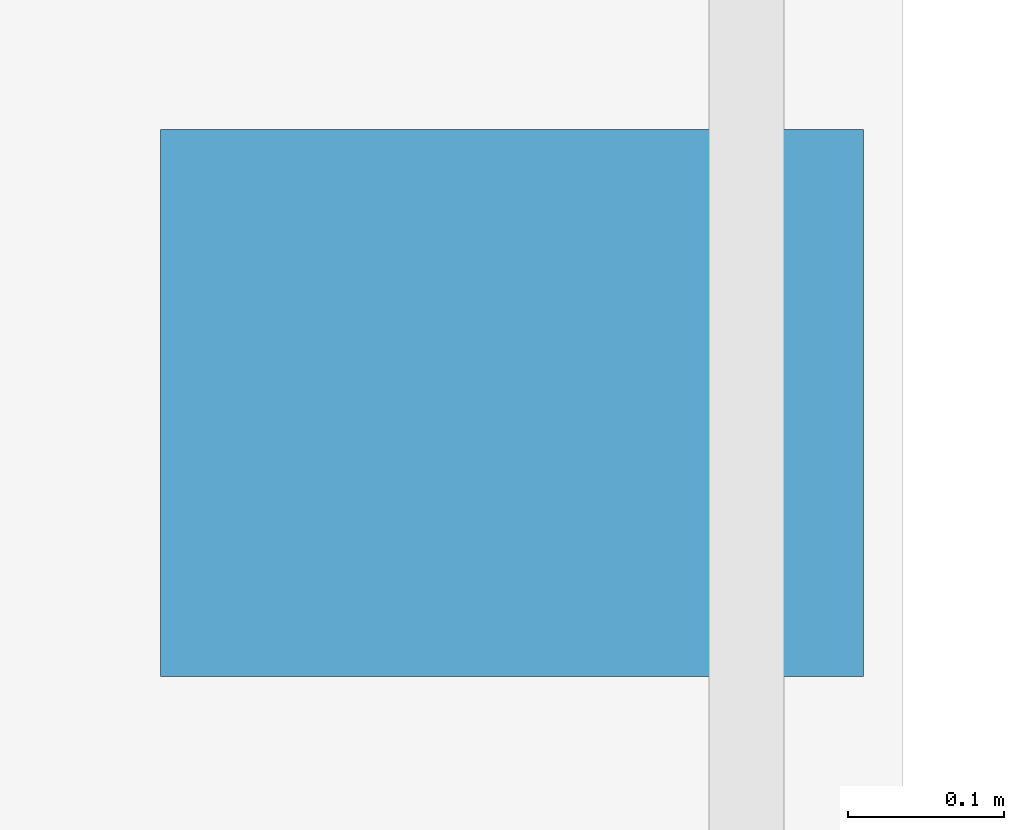
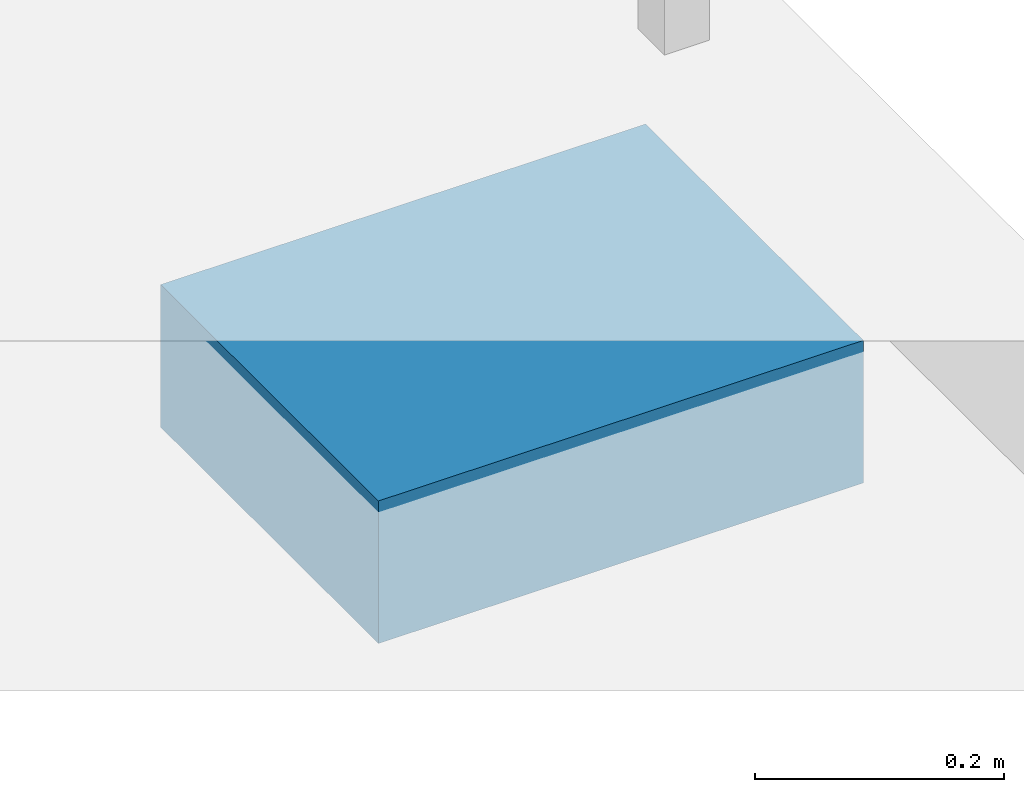
# One storey, part 69 of 87: 1 discrete accessory.
"""IFC4 building model written with IfcOpenShell, lengths in metres."""

import ifcopenshell
import ifcopenshell.guid

model = None  # the IFC model being written
_history = None  # IfcOwnerHistory: only IFC2X3 demands one
_inside = {}  # id of a spatial element -> (the spatial element, [elements in it])
_under = {}  # id of a project, library or spatial element -> (it, [spatial elements below it])
_declared = {}  # id of a project -> (the project, [libraries it declares])
_typed = {}  # id of a type object -> (the type object, [elements of that type])
_made_of = {}  # id of a material, layer set ... -> (it, [elements and type objects made of it])


def new_model(schema):
    """Start an empty IFC model of exactly this schema.

    Asked for "IFC4X3", IfcOpenShell would pick the latest addendum, in which some entities
    have other attributes; the version numbers below select the first issue.
    IFC2X3 requires an IfcOwnerHistory on every rooted entity: one is made here for all.
    """
    global model, _history
    if schema == "IFC4X3":
        model = ifcopenshell.file(schema_version=(4, 3, 0, 0))
    else:
        model = ifcopenshell.file(schema=schema)
    _inside.clear()
    _under.clear()
    _declared.clear()
    _typed.clear()
    _made_of.clear()
    _history = None
    if model.schema == "IFC2X3":
        org = make("IfcOrganization", Name="unknown")
        user = make(
            "IfcPersonAndOrganization",
            ThePerson=make("IfcPerson", FamilyName="unknown"),
            TheOrganization=org,
        )
        app = make(
            "IfcApplication",
            ApplicationDeveloper=org,
            Version="unknown",
            ApplicationFullName="unknown",
            ApplicationIdentifier="unknown",
        )
        _history = make(
            "IfcOwnerHistory",
            OwningUser=user,
            OwningApplication=app,
            ChangeAction="ADDED",
            CreationDate=0,
        )
    return model


def make(cls, **values):
    """One entity of the class cls with the attributes given. An attribute that is None is left unset."""
    return model.create_entity(
        cls, **{name: value for name, value in values.items() if value is not None}
    )


def rooted(cls, **values):
    """An entity with a GlobalId (a new one), such as an element, a storey or a relation."""
    return make(cls, GlobalId=ifcopenshell.guid.new(), OwnerHistory=_history, **values)


def si_unit(unit_type, name, prefix=None):
    """IfcSIUnit, for example si_unit("LENGTHUNIT", "METRE", prefix="MILLI")."""
    return make("IfcSIUnit", UnitType=unit_type, Prefix=prefix, Name=name)


def assignment(units):
    """IfcUnitAssignment: the units of a project."""
    return None if units is None else make("IfcUnitAssignment", Units=units)


def point(xyz):
    """IfcCartesianPoint."""
    return None if xyz is None else make("IfcCartesianPoint", Coordinates=xyz)


def direction(xyz):
    """IfcDirection."""
    return None if xyz is None else make("IfcDirection", DirectionRatios=xyz)


def frame(location, z_axis=None, x_axis=None):
    """IfcAxis2Placement3D, a coordinate frame: its origin and axes. An axis left out is left unset."""
    return make(
        "IfcAxis2Placement3D",
        Location=point(location),
        Axis=direction(z_axis),
        RefDirection=direction(x_axis),
    )


def frame_2d(location, x_axis=None):
    """IfcAxis2Placement2D, a coordinate frame in the plane: its origin and x axis."""
    return make(
        "IfcAxis2Placement2D", Location=point(location), RefDirection=direction(x_axis)
    )


def origin():
    """The frame at (0, 0, 0) with its axes left unset."""
    return frame((0.0, 0.0, 0.0))


def origin_2d():
    """The frame at (0, 0) in the plane with its x axis left unset."""
    return frame_2d((0.0, 0.0))


def place(relative_to, where):
    """IfcLocalPlacement: puts the frame where relative to a parent placement (None: the world)."""
    return make(
        "IfcLocalPlacement", PlacementRelTo=relative_to, RelativePlacement=where
    )


def context(
    kind, dimensions, precision=None, world=None, true_north=None, identifier=None
):
    """IfcGeometricRepresentationContext, for example the 3D "Model" context."""
    return make(
        "IfcGeometricRepresentationContext",
        ContextIdentifier=identifier,
        ContextType=kind,
        CoordinateSpaceDimension=dimensions,
        Precision=precision,
        WorldCoordinateSystem=world,
        TrueNorth=true_north,
    )


def subcontext(parent, identifier, kind, view, scale=None):
    """IfcGeometricRepresentationSubContext, for example "Body" below "Model"."""
    return make(
        "IfcGeometricRepresentationSubContext",
        ContextIdentifier=identifier,
        ContextType=kind,
        ParentContext=parent,
        TargetScale=scale,
        TargetView=view,
    )


def project(units=None, contexts=None):
    """IfcProject with its units and contexts."""
    return rooted(
        "IfcProject",
        Name="project",
        RepresentationContexts=contexts,
        UnitsInContext=assignment(units),
    )


def spatial(cls, under=None, at=None, **own):
    """A site, building, storey or space (cls), placed at a placement, below another one or the project."""
    s = rooted(cls, ObjectPlacement=at, **own)
    if under is not None:
        _under.setdefault(under.id(), (under, []))[1].append(s)
    return s


def profile(cls, at=None, kind="AREA", **sizes):
    """A parametric profile (cls). Its sizes go by their IFC names, for example OverallWidth=200.0."""
    return make(cls, ProfileType=kind, Position=at, **sizes)


def rectangle(**sizes):
    """IfcRectangleProfileDef."""
    return profile("IfcRectangleProfileDef", **sizes)


def extrude(swept, where, along, depth):
    """IfcExtrudedAreaSolid: the profile swept, set in the frame where, extruded along a direction by depth."""
    return make(
        "IfcExtrudedAreaSolid",
        SweptArea=swept,
        Position=where,
        ExtrudedDirection=direction(along),
        Depth=depth,
    )


def shape(context_of_items, identifier, shape_type, items):
    """IfcShapeRepresentation: the items that make up one representation, for example the "Body"."""
    return make(
        "IfcShapeRepresentation",
        ContextOfItems=context_of_items,
        RepresentationIdentifier=identifier,
        RepresentationType=shape_type,
        Items=items,
    )


def material(Name=None, Category=None):
    """IfcMaterial."""
    return make("IfcMaterial", Name=Name, Category=Category)


def made_of(thing, what):
    """Note that an element or type object is made of a material, layer set ...; save() writes the relation."""
    if what is not None:
        _made_of.setdefault(what.id(), (what, []))[1].append(thing)
    return thing


def type_object(cls, material=None, **own):
    """A type object (cls), such as IfcWallType, which elements share."""
    return made_of(rooted(cls, **own), material)


def element(
    cls,
    number,
    at=None,
    inside=None,
    cuts=None,
    type_object=None,
    material=None,
    context=None,
    identifier="Body",
    shape_type=None,
    held_by="IfcProductDefinitionShape",
    body=None,
    shapes=None,
    **own,
):
    """One element of the class cls, such as IfcWall. Its Tag is "e" and its number.

    at: its placement. inside: the storey or other place that contains it. cuts: it is an
    opening in that element (IfcRelVoidsElement). A single representation is given by context,
    identifier, shape_type and body (its items); several are given by shapes. held_by: the class
    of the entity that holds the representations. save() writes the other relations.
    """
    e = rooted(cls, Tag="e%d" % number, ObjectPlacement=at, **own)
    if body is not None:
        shapes = [shape(context, identifier, shape_type, body)]
    if shapes is not None:
        e.Representation = make(held_by, Representations=shapes)
    if inside is not None:
        _inside.setdefault(inside.id(), (inside, []))[1].append(e)
    if cuts is not None:
        rooted(
            "IfcRelVoidsElement", RelatingBuildingElement=cuts, RelatedOpeningElement=e
        )
    if type_object is not None:
        _typed.setdefault(type_object.id(), (type_object, []))[1].append(e)
    return made_of(e, material)


def aggregate(whole, parts):
    """IfcRelAggregates: a whole, such as a stair, and the parts it consists of."""
    return rooted("IfcRelAggregates", RelatingObject=whole, RelatedObjects=parts)


def save(model, path):
    """Write the relations noted so far, then the file.

    IfcRelAggregates (storeys below a building ...), IfcRelContainedInSpatialStructure (elements
    in a storey), IfcRelDefinesByType, IfcRelAssociatesMaterial and IfcRelDeclares: one each for
    every whole, place, type object, material and project.
    """
    for whole, parts in _under.values():
        aggregate(whole, parts)
    for where, things in _inside.values():
        rooted(
            "IfcRelContainedInSpatialStructure",
            RelatedElements=things,
            RelatingStructure=where,
        )
    for kind, things in _typed.values():
        rooted("IfcRelDefinesByType", RelatedObjects=things, RelatingType=kind)
    for what, things in _made_of.values():
        rooted("IfcRelAssociatesMaterial", RelatedObjects=things, RelatingMaterial=what)
    for by, libraries in _declared.values():
        rooted("IfcRelDeclares", RelatingContext=by, RelatedDefinitions=libraries)
    model.write(path)


model = new_model("IFC4")

# Units and contexts
model_context = context("Model", 3, precision=1e-05, world=origin(), true_north=direction((0.0, 1.0)))
body_context = subcontext(model_context, "Body", "Model", "MODEL_VIEW")
ifc_project = project(units=[si_unit("LENGTHUNIT", "METRE"), si_unit("AREAUNIT", "SQUARE_METRE"), si_unit("VOLUMEUNIT", "CUBIC_METRE"), si_unit("PLANEANGLEUNIT", "RADIAN"), si_unit("MASSUNIT", "GRAM", prefix="KILO")], contexts=[model_context])

# Site, building, storey
site_placement = place(None, origin())
site = spatial("IfcSite", under=ifc_project, at=site_placement, CompositionType="ELEMENT")
building_placement = place(site_placement, origin())
building = spatial("IfcBuilding", under=site, at=building_placement, Name="Saryqyr Civic Hall", CompositionType="ELEMENT")
storey_placement = place(building_placement, frame((0.0, 0.0, 5.10009765625)))
storey = spatial("IfcBuildingStorey", under=building, at=storey_placement, Name="L01", CompositionType="ELEMENT", Elevation=5.10009765625)

# Discrete accessory
ifc_material = material(Name="Steel S355", Category="steel")
discrete_accessory_type = type_object("IfcDiscreteAccessoryType", Name="STR-ACC-PTFE-BRG", PredefinedType="BRACKET", material=ifc_material)
discrete_accessory_placement = place(storey_placement, frame((105.14990234375, 84.0, -0.35986328125), z_axis=(0.0, 0.0, 1.0), x_axis=(1.0, 0.0, 0.0)))
element("IfcDiscreteAccessory", 1, at=discrete_accessory_placement, inside=storey, type_object=discrete_accessory_type, Name="Unguided PTFE sliding bridge bearing BR-E L01 2", PredefinedType="BRACKET", context=body_context, shape_type="SweptSolid", body=[
    extrude(rectangle(XDim=0.449951171875, YDim=0.35009765625, at=origin_2d()), origin(), (0.0, 0.0, 1.0), 0.139892578125),
])

save(model, "model.ifc")
